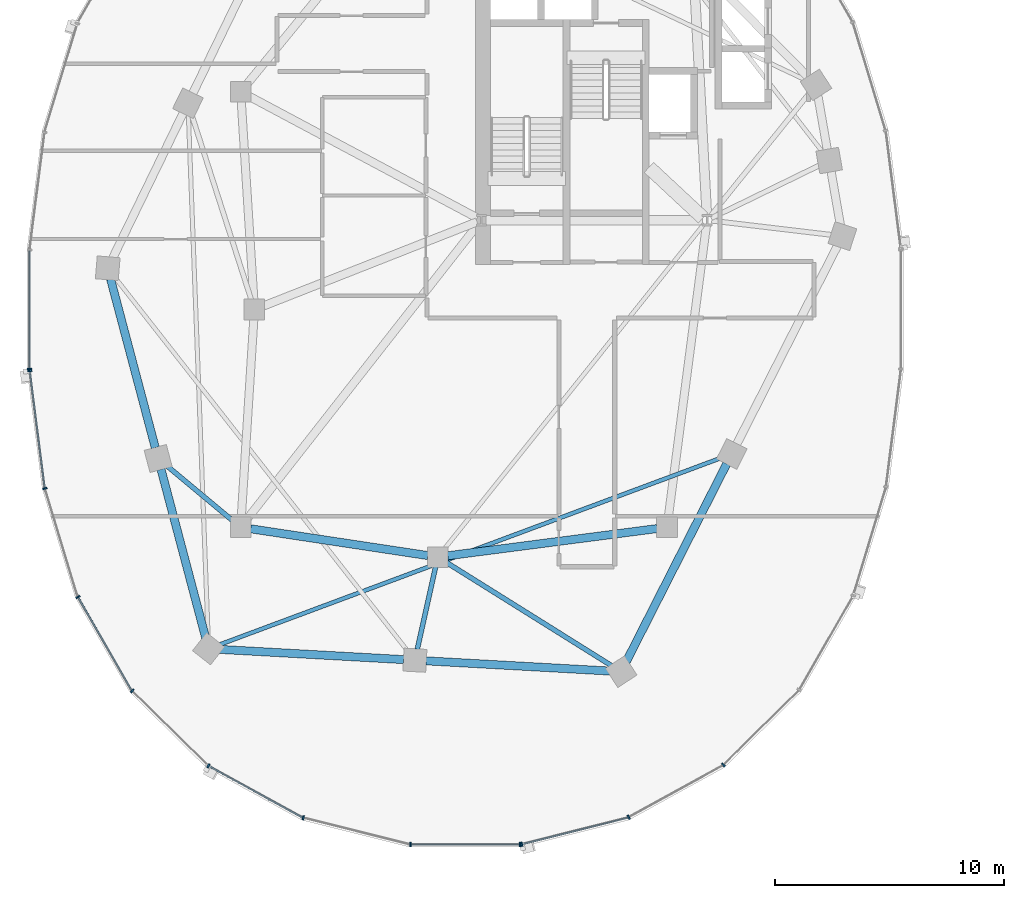
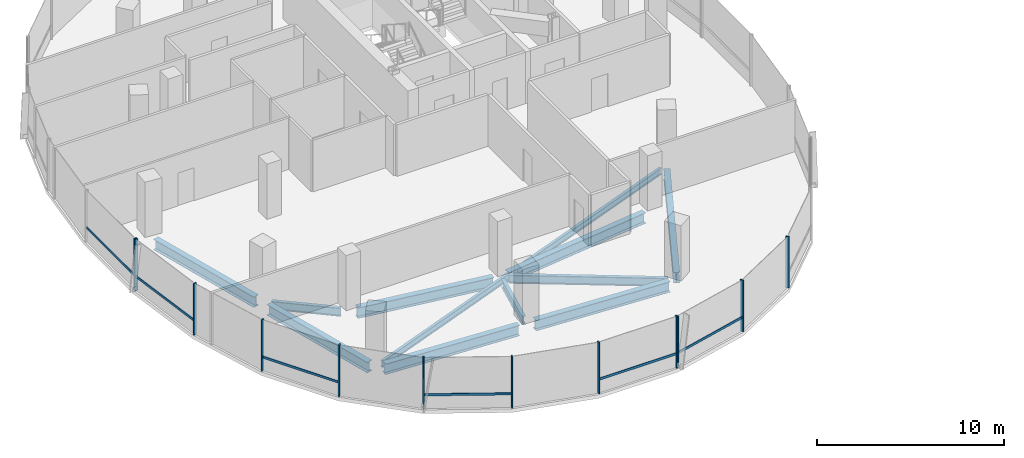
# One storey, part 2 of 22: 18 members, 11 beams, 3 elements without a shape of their own.
"""IFC4 building model written with IfcOpenShell, lengths in metres."""

from ifc_helpers import new_model, si_unit, direction, frame, origin, origin_2d, place, context, subcontext, project, spatial, rectangle, i_section, extrude, material, material_profile, profile_set, type_object, element, aggregate, save


model = new_model("IFC4")

# Units and contexts
model_context = context("Model", 3, precision=1e-05, world=origin(), true_north=direction((0.0, 1.0)))
body_context = subcontext(model_context, "Body", "Model", "MODEL_VIEW")
ifc_project = project(units=[si_unit("LENGTHUNIT", "METRE"), si_unit("AREAUNIT", "SQUARE_METRE"), si_unit("VOLUMEUNIT", "CUBIC_METRE"), si_unit("PLANEANGLEUNIT", "RADIAN"), si_unit("MASSUNIT", "GRAM", prefix="KILO"), si_unit("THERMODYNAMICTEMPERATUREUNIT", "KELVIN"), si_unit("POWERUNIT", "WATT")], contexts=[model_context])

# Site, building, storey
site_placement = place(None, origin())
site = spatial("IfcSite", under=ifc_project, at=site_placement, CompositionType="ELEMENT")
building_placement = place(site_placement, origin())
building = spatial("IfcBuilding", under=site, at=building_placement, Name="Cundina Bronze Exchange", CompositionType="ELEMENT")
storey_placement = place(building_placement, frame((0.0, 0.0, 154.800048828125)))
storey = spatial("IfcBuildingStorey", under=building, at=storey_placement, Name="L40", CompositionType="ELEMENT", Elevation=154.800048828125)

# Beams
ifc_material_1 = material(Name="Steel ASTM A992 Grade 50", Category="steel")
ifc_material_profile_1 = material_profile(ifc_material_1, i_section(OverallWidth=0.2119140625, OverallDepth=0.5439453125, WebThickness=0.01318359375, FlangeThickness=0.021240234375, FilletRadius=0.013916015625, at=origin_2d()), Name="W21X83", Category="steel")
ifc_profile_set_1 = profile_set([ifc_material_profile_1], Name="Steel ASTM A992 Grade 50")
beam_type_1 = type_object("IfcBeamType", Name="BM-FLR-W21A", PredefinedType="BEAM", material=ifc_profile_set_1)
beam_1_placement = place(storey_placement, frame((-42.136474609375, -9.219482421875, -0.511962890625), z_axis=(-0.768253211489, 0.640146079451, 0.0), x_axis=(-0.640146079451, -0.768253211489, 0.0)))
element("IfcBeam", 1, at=beam_1_placement, inside=storey, type_object=beam_type_1, Name="L40 Leg W Radial Floor Beam 09", PredefinedType="BEAM", context=body_context, shape_type="SweptSolid", body=[
    extrude(i_section(OverallWidth=0.2119140625, OverallDepth=0.5439453125, WebThickness=0.01318359375, FlangeThickness=0.021240234375, FilletRadius=0.013916015625, at=origin_2d()), origin(), (0.0, 0.0, 1.0), 3.760009765625),
])
beam_2_placement = place(storey_placement, frame((-33.294921875, -11.2275390625, -0.511962890625), z_axis=(-0.216923440287, -0.976188619609, 0.0), x_axis=(0.976188619609, -0.216923440287, 0.0)))
element("IfcBeam", 2, at=beam_2_placement, inside=storey, type_object=beam_type_1, Name="L40 Leg W Radial Floor Beam 11", PredefinedType="BEAM", context=body_context, shape_type="SweptSolid", body=[
    extrude(i_section(OverallWidth=0.2119140625, OverallDepth=0.5439453125, WebThickness=0.01318359375, FlangeThickness=0.021240234375, FilletRadius=0.013916015625, at=origin_2d()), origin(), (0.0, 0.0, 1.0), 3.68359375),
])
beam_3_placement = place(storey_placement, frame((-32.82861328125, -11.031982421875, -0.511962890625), z_axis=(0.847985407265, -0.530019574228, 0.0), x_axis=(0.530019574228, 0.847985407265, 0.0)))
element("IfcBeam", 3, at=beam_3_placement, inside=storey, type_object=beam_type_1, Name="L40 Leg W Radial Floor Beam 12", PredefinedType="BEAM", context=body_context, shape_type="SweptSolid", body=[
    extrude(i_section(OverallWidth=0.2119140625, OverallDepth=0.5439453125, WebThickness=0.01318359375, FlangeThickness=0.021240234375, FilletRadius=0.013916015625, at=origin_2d()), origin(), (0.0, 0.0, 1.0), 8.50830078125),
])
ifc_material_profile_2 = material_profile(ifc_material_1, i_section(OverallWidth=0.178955078125, OverallDepth=0.409912109375, WebThickness=0.0087890625, FlangeThickness=0.014404296875, FilletRadius=0.010986328125, at=origin_2d()), Name="W16X45", Category="steel")
ifc_profile_set_2 = profile_set([ifc_material_profile_2], Name="Steel ASTM A992 Grade 50")
beam_type_2 = type_object("IfcBeamType", Name="BM-JST-W16", PredefinedType="JOIST", material=ifc_profile_set_2)
beam_4_placement = place(storey_placement, frame((-42.74267578125, -14.629638671875, -0.445068359375), z_axis=(0.937127922351, 0.348986041483, 0.0), x_axis=(-0.348986041483, 0.937127922351, 0.0)))
element("IfcBeam", 4, at=beam_4_placement, inside=storey, type_object=beam_type_2, Name="L40 Leg W Lobe Floor Joist 10-13", PredefinedType="JOIST", context=body_context, shape_type="SweptSolid", body=[
    extrude(i_section(OverallWidth=0.178955078125, OverallDepth=0.409912109375, WebThickness=0.0087890625, FlangeThickness=0.014404296875, FilletRadius=0.010986328125, at=origin_2d()), origin(), (0.0, 0.0, 1.0), 23.38037109375),
])
ifc_material_profile_3 = material_profile(ifc_material_1, i_section(OverallWidth=0.35498046875, OverallDepth=0.695068359375, WebThickness=0.015380859375, FlangeThickness=0.02490234375, FilletRadius=0.01806640625, at=origin_2d()), Name="W27X146", Category="steel")
ifc_profile_set_3 = profile_set([ifc_material_profile_3], Name="Steel ASTM A992 Grade 50")
beam_type_3 = type_object("IfcBeamType", Name="BM-RING-W27", PredefinedType="USERDEFINED", material=ifc_profile_set_3)
beam_5_placement = place(storey_placement, frame((-41.366943359375, -9.5654296875, -0.587646484375), z_axis=(0.988764903598, -0.149478979839, 0.0), x_axis=(0.149478979839, 0.988764903598, 0.0)))
element("IfcBeam", 5, at=beam_5_placement, inside=storey, type_object=beam_type_3, Name="L40 W Inner Structural Ring Girder 05", ObjectType="GIRDER", PredefinedType="USERDEFINED", context=body_context, shape_type="SweptSolid", body=[
    extrude(i_section(OverallWidth=0.35498046875, OverallDepth=0.695068359375, WebThickness=0.015380859375, FlangeThickness=0.02490234375, FilletRadius=0.01806640625, at=origin_2d()), origin(), (0.0, 0.0, 1.0), 7.82177734375),
])
beam_6_placement = place(storey_placement, frame((-32.765625, -10.743408203125, -0.587646484375), z_axis=(0.991656498582, 0.128908451316, 0.0), x_axis=(-0.128908451316, 0.991656498582, 0.0)))
element("IfcBeam", 6, at=beam_6_placement, inside=storey, type_object=beam_type_3, Name="L40 W Inner Structural Ring Girder 06", ObjectType="GIRDER", PredefinedType="USERDEFINED", context=body_context, shape_type="SweptSolid", body=[
    extrude(i_section(OverallWidth=0.35498046875, OverallDepth=0.695068359375, WebThickness=0.015380859375, FlangeThickness=0.02490234375, FilletRadius=0.01806640625, at=origin_2d()), origin(), (0.0, 0.0, 1.0), 9.208251953125),
])
for number, where, z_axis, x_axis, name in (
    (7, (-47.47509765625, 1.328369140625, -0.587646484375), (0.256240814108, -0.966612975904, 0.0), (0.966612975904, 0.256240814108, 0.0), "L40 W Perimeter Ring Girder 08"),
    (8, (-45.27490234375, -6.9716796875, -0.587646484375), (0.256210841755, -0.96662092082, 0.0), (0.96662092082, 0.256210841755, 0.0), "L40 W Perimeter Ring Girder 09"),
):
    element("IfcBeam", number, at=place(storey_placement, frame(where, z_axis=z_axis, x_axis=x_axis)), inside=storey, type_object=beam_type_3, Name=name, ObjectType="GIRDER", PredefinedType="USERDEFINED", context=body_context, shape_type="SweptSolid", body=[
        extrude(i_section(OverallWidth=0.35498046875, OverallDepth=0.695068359375, WebThickness=0.015380859375, FlangeThickness=0.02490234375, FilletRadius=0.01806640625, at=origin_2d()), origin(), (0.0, 0.0, 1.0), 7.61083984375),
    ])
for number, where, z_axis, x_axis, name in (
    (9, (-42.712890625, -14.8271484375, -0.587646484375), (0.998460820451, -0.055461608559, 0.0), (0.055461608559, 0.998460820451, 0.0), "L40 W Perimeter Ring Girder 10"),
    (10, (-33.712890625, -15.3271484375, -0.587646484375), (0.998460820451, -0.055461608559, 0.0), (0.055461608559, 0.998460820451, 0.0), "L40 W Perimeter Ring Girder 11"),
):
    element("IfcBeam", number, at=place(storey_placement, frame(where, z_axis=z_axis, x_axis=x_axis)), inside=storey, type_object=beam_type_3, Name=name, ObjectType="GIRDER", PredefinedType="USERDEFINED", context=body_context, shape_type="SweptSolid", body=[
        extrude(i_section(OverallWidth=0.35498046875, OverallDepth=0.695068359375, WebThickness=0.015380859375, FlangeThickness=0.02490234375, FilletRadius=0.01806640625, at=origin_2d()), origin(), (0.0, 0.0, 1.0), 8.0380859375),
    ])
beam_7_placement = place(storey_placement, frame((-24.97900390625, -15.364990234375, -0.587646484375), z_axis=(0.452834585354, 0.891594548159, 0.0), x_axis=(-0.891594548159, 0.452834585354, 0.0)))
element("IfcBeam", 11, at=beam_7_placement, inside=storey, type_object=beam_type_3, Name="L40 W Perimeter Ring Girder 12", ObjectType="GIRDER", PredefinedType="USERDEFINED", context=body_context, shape_type="SweptSolid", body=[
    extrude(i_section(OverallWidth=0.35498046875, OverallDepth=0.695068359375, WebThickness=0.015380859375, FlangeThickness=0.02490234375, FilletRadius=0.01806640625, at=origin_2d()), origin(), (0.0, 0.0, 1.0), 9.67919921875),
])

# Curtain wall, member
ifc_material_2 = material(Name="Anodised Bronze Aluminium 6063-T6", Category="aluminium")
curtain_wall_type = type_object("IfcCurtainWallType", Name="CWS-WST-PIN", PredefinedType="NOTDEFINED", material=ifc_material_2)
curtain_wall_1_placement = place(storey_placement, origin())
curtain_wall_1 = element("IfcCurtainWall", 12, at=curtain_wall_1_placement, inside=storey, type_object=curtain_wall_type, Name="L40 CW-04 Curtain Wall Run CWR-L40-W2", PredefinedType="NOTDEFINED")
ifc_material_profile_4 = material_profile(ifc_material_2, rectangle(XDim=0.070068359375, YDim=0.18994140625, at=origin_2d()), Name="AL70X190", Category="aluminium")
ifc_profile_set_4 = profile_set([ifc_material_profile_4], Name="Anodised Bronze Aluminium 6063-T6")
member_type_1 = type_object("IfcMemberType", Name="CWM-MUL-190", PredefinedType="MULLION", material=ifc_profile_set_4)
member_1_placement = place(storey_placement, frame((-51.007080078125, -2.593017578125, 0.0), z_axis=(0.0, 0.0, 1.0), x_axis=(0.0, -1.0, 0.0)))
member_1 = element("IfcMember", 13, at=member_1_placement, type_object=member_type_1, Name="CW-04 End Mullion", PredefinedType="MULLION", context=body_context, shape_type="SweptSolid", body=[
    extrude(rectangle(XDim=0.070068359375, YDim=0.18994140625, at=origin_2d()), origin(), (0.0, 0.0, 1.0), 3.35986328125),
])

# Curtain wall, members
curtain_wall_2_placement = place(storey_placement, origin())
curtain_wall_2 = element("IfcCurtainWall", 14, at=curtain_wall_2_placement, inside=storey, type_object=curtain_wall_type, Name="L40 CW-04 Curtain Wall Run CWR-L40-W3", PredefinedType="NOTDEFINED")
member_2_placement = place(storey_placement, frame((-51.001708984375, -2.676025390625, 0.0), z_axis=(0.0, 0.0, 1.0), x_axis=(0.126545236492, -0.991960837494, 0.0)))
member_2 = element("IfcMember", 15, at=member_2_placement, type_object=member_type_1, Name="CW-04 Mullion 1", PredefinedType="MULLION", context=body_context, shape_type="SweptSolid", body=[
    extrude(rectangle(XDim=0.070068359375, YDim=0.18994140625, at=origin_2d()), origin(), (0.0, 0.0, 1.0), 3.35986328125),
])
member_3_placement = place(storey_placement, frame((-50.3408203125, -7.80859375, 0.0), z_axis=(0.0, 0.0, 1.0), x_axis=(0.290034140915, -0.957016299288, 0.0)))
member_3 = element("IfcMember", 16, at=member_3_placement, type_object=member_type_1, Name="CW-04 Mullion 2", PredefinedType="MULLION", context=body_context, shape_type="SweptSolid", body=[
    extrude(rectangle(XDim=0.070068359375, YDim=0.18994140625, at=origin_2d()), origin(), (0.0, 0.0, 1.0), 3.35986328125),
])
member_4_placement = place(storey_placement, frame((-48.89794921875, -12.541259765625, 0.0), z_axis=(0.0, 0.0, 1.0), x_axis=(0.498487739754, -0.866896748936, 0.0)))
member_4 = element("IfcMember", 17, at=member_4_placement, type_object=member_type_1, Name="CW-04 Mullion 3", PredefinedType="MULLION", context=body_context, shape_type="SweptSolid", body=[
    extrude(rectangle(XDim=0.070068359375, YDim=0.18994140625, at=origin_2d()), origin(), (0.0, 0.0, 1.0), 3.35986328125),
])
member_5_placement = place(storey_placement, frame((-46.530517578125, -16.640380859375, 0.0), z_axis=(0.0, 0.0, 1.0), x_axis=(0.712026045991, -0.702153052995, 0.0)))
member_5 = element("IfcMember", 18, at=member_5_placement, type_object=member_type_1, Name="CW-04 Mullion 4", PredefinedType="MULLION", context=body_context, shape_type="SweptSolid", body=[
    extrude(rectangle(XDim=0.070068359375, YDim=0.18994140625, at=origin_2d()), origin(), (0.0, 0.0, 1.0), 3.35986328125),
])
member_6_placement = place(storey_placement, frame((-43.20654296875, -19.906005859375, 0.0), z_axis=(0.0, 0.0, 1.0), x_axis=(0.875885937035, -0.482518212408, 0.0)))
member_6 = element("IfcMember", 19, at=member_6_placement, type_object=member_type_1, Name="CW-04 Mullion 5", PredefinedType="MULLION", context=body_context, shape_type="SweptSolid", body=[
    extrude(rectangle(XDim=0.070068359375, YDim=0.18994140625, at=origin_2d()), origin(), (0.0, 0.0, 1.0), 3.35986328125),
])
member_7_placement = place(storey_placement, frame((-39.067626953125, -22.17626953125, 0.0), z_axis=(0.0, 0.0, 1.0), x_axis=(0.970084240161, -0.242768546132, 0.0)))
member_7 = element("IfcMember", 20, at=member_7_placement, type_object=member_type_1, Name="CW-04 Mullion 6", PredefinedType="MULLION", context=body_context, shape_type="SweptSolid", body=[
    extrude(rectangle(XDim=0.070068359375, YDim=0.18994140625, at=origin_2d()), origin(), (0.0, 0.0, 1.0), 3.35986328125),
])
member_8_placement = place(storey_placement, frame((-34.39404296875, -23.3369140625, 0.0), z_axis=(0.0, 0.0, 1.0), x_axis=(1.0, 0.0, 0.0)))
member_8 = element("IfcMember", 21, at=member_8_placement, type_object=member_type_1, Name="CW-04 Mullion 7", PredefinedType="MULLION", context=body_context, shape_type="SweptSolid", body=[
    extrude(rectangle(XDim=0.070068359375, YDim=0.18994140625, at=origin_2d()), origin(), (0.0, 0.0, 1.0), 3.35986328125),
])
member_9_placement = place(storey_placement, frame((-29.60595703125, -23.3369140625, 0.0), z_axis=(0.0, 0.0, 1.0), x_axis=(1.0, 0.0, 0.0)))
member_9 = element("IfcMember", 22, at=member_9_placement, type_object=member_type_1, Name="CW-04 End Mullion", PredefinedType="MULLION", context=body_context, shape_type="SweptSolid", body=[
    extrude(rectangle(XDim=0.070068359375, YDim=0.18994140625, at=origin_2d()), origin(), (0.0, 0.0, 1.0), 3.35986328125),
])

curtain_wall_3_placement = place(storey_placement, origin())
curtain_wall_3 = element("IfcCurtainWall", 23, at=curtain_wall_3_placement, inside=storey, type_object=curtain_wall_type, Name="L40 CW-04 Curtain Wall Run CWR-L40-W4", PredefinedType="NOTDEFINED")
member_10_placement = place(storey_placement, frame((-29.537353515625, -23.32861328125, 0.0), z_axis=(0.0, 0.0, 1.0), x_axis=(0.970084240161, 0.242768546132, 0.0)))
member_10 = element("IfcMember", 24, at=member_10_placement, type_object=member_type_1, Name="CW-04 Mullion 1", PredefinedType="MULLION", context=body_context, shape_type="SweptSolid", body=[
    extrude(rectangle(XDim=0.070068359375, YDim=0.18994140625, at=origin_2d()), origin(), (0.0, 0.0, 1.0), 3.35986328125),
])
member_11_placement = place(storey_placement, frame((-24.86962890625, -22.151611328125, 0.0), z_axis=(0.0, 0.0, 1.0), x_axis=(0.875885937035, 0.482518212408, 0.0)))
member_11 = element("IfcMember", 25, at=member_11_placement, type_object=member_type_1, Name="CW-04 Mullion 2", PredefinedType="MULLION", context=body_context, shape_type="SweptSolid", body=[
    extrude(rectangle(XDim=0.070068359375, YDim=0.18994140625, at=origin_2d()), origin(), (0.0, 0.0, 1.0), 3.35986328125),
])
member_12_placement = place(storey_placement, frame((-20.740966796875, -19.86669921875, 0.0), z_axis=(0.0, 0.0, 1.0), x_axis=(0.712026045991, 0.702153052995, 0.0)))
member_12 = element("IfcMember", 26, at=member_12_placement, type_object=member_type_1, Name="CW-04 Mullion 3", PredefinedType="MULLION", context=body_context, shape_type="SweptSolid", body=[
    extrude(rectangle(XDim=0.070068359375, YDim=0.18994140625, at=origin_2d()), origin(), (0.0, 0.0, 1.0), 3.35986328125),
])

# Member
ifc_material_profile_5 = material_profile(ifc_material_2, rectangle(XDim=0.06494140625, YDim=0.14990234375, at=origin_2d()), Name="AL65X150", Category="aluminium")
ifc_profile_set_5 = profile_set([ifc_material_profile_5], Name="Anodised Bronze Aluminium 6063-T6")
member_type_2 = type_object("IfcMemberType", Name="CWM-TRN-150", PredefinedType="USERDEFINED", material=ifc_profile_set_5)
member_13_placement = place(storey_placement, frame((-51.007080078125, 2.554443359375, 0.919921875), z_axis=(0.0, -1.0, 0.0), x_axis=(1.0, 0.0, 0.0)))
member_13 = element("IfcMember", 27, at=member_13_placement, type_object=member_type_2, Name="CW-04 Spandrel Transom 7", ObjectType="TRANSOM", PredefinedType="USERDEFINED", context=body_context, shape_type="SweptSolid", body=[
    extrude(rectangle(XDim=0.06494140625, YDim=0.14990234375, at=origin_2d()), origin(), (0.0, 0.0, 1.0), 5.10888671875),
])

aggregate(curtain_wall_1, [member_1, member_13])

member_14_placement = place(storey_placement, frame((-50.996826171875, -2.71435546875, 0.919921875), z_axis=(0.12646340362, -0.991971273548, 0.0), x_axis=(0.991971273548, 0.12646340362, 0.0)))
member_14 = element("IfcMember", 28, at=member_14_placement, type_object=member_type_2, Name="CW-04 Spandrel Transom 1", ObjectType="TRANSOM", PredefinedType="USERDEFINED", context=body_context, shape_type="SweptSolid", body=[
    extrude(rectangle(XDim=0.06494140625, YDim=0.14990234375, at=origin_2d()), origin(), (0.0, 0.0, 1.0), 5.0966796875),
])

member_15_placement = place(storey_placement, frame((-48.878662109375, -12.574462890625, 0.919921875), z_axis=(0.498479967047, -0.866901218394, 0.0), x_axis=(0.866901218394, 0.498479967047, 0.0)))
member_15 = element("IfcMember", 29, at=member_15_placement, type_object=member_type_2, Name="CW-04 Spandrel Transom 3", ObjectType="TRANSOM", PredefinedType="USERDEFINED", context=body_context, shape_type="SweptSolid", body=[
    extrude(rectangle(XDim=0.06494140625, YDim=0.14990234375, at=origin_2d()), origin(), (0.0, 0.0, 1.0), 4.66845703125),
])

member_16_placement = place(storey_placement, frame((-43.1728515625, -19.924560546875, 0.919921875), z_axis=(0.875878981549, -0.482530838062, 0.0), x_axis=(0.482530838062, 0.875878981549, 0.0)))
member_16 = element("IfcMember", 30, at=member_16_placement, type_object=member_type_2, Name="CW-04 Spandrel Transom 5", ObjectType="TRANSOM", PredefinedType="USERDEFINED", context=body_context, shape_type="SweptSolid", body=[
    extrude(rectangle(XDim=0.06494140625, YDim=0.14990234375, at=origin_2d()), origin(), (0.0, 0.0, 1.0), 4.65380859375),
])

member_17_placement = place(storey_placement, frame((-34.35546875, -23.3369140625, 0.919921875), z_axis=(1.0, 0.0, 0.0), x_axis=(0.0, 1.0, 0.0)))
member_17 = element("IfcMember", 31, at=member_17_placement, type_object=member_type_2, Name="CW-04 Spandrel Transom 7", ObjectType="TRANSOM", PredefinedType="USERDEFINED", context=body_context, shape_type="SweptSolid", body=[
    extrude(rectangle(XDim=0.06494140625, YDim=0.14990234375, at=origin_2d()), origin(), (0.0, 0.0, 1.0), 4.7109375),
])

aggregate(curtain_wall_2, [member_2, member_14, member_3, member_4, member_15, member_5, member_6, member_16, member_7, member_8, member_9, member_17])

member_18_placement = place(storey_placement, frame((-29.5, -23.319091796875, 0.919921875), z_axis=(0.970100130035, 0.242705042606, 0.0), x_axis=(-0.242705042606, 0.970100130035, 0.0)))
member_18 = element("IfcMember", 32, at=member_18_placement, type_object=member_type_2, Name="CW-04 Spandrel Transom 1", ObjectType="TRANSOM", PredefinedType="USERDEFINED", context=body_context, shape_type="SweptSolid", body=[
    extrude(rectangle(XDim=0.06494140625, YDim=0.14990234375, at=origin_2d()), origin(), (0.0, 0.0, 1.0), 4.746826171875),
])

aggregate(curtain_wall_3, [member_10, member_18, member_11, member_12])

save(model, "model.ifc")
